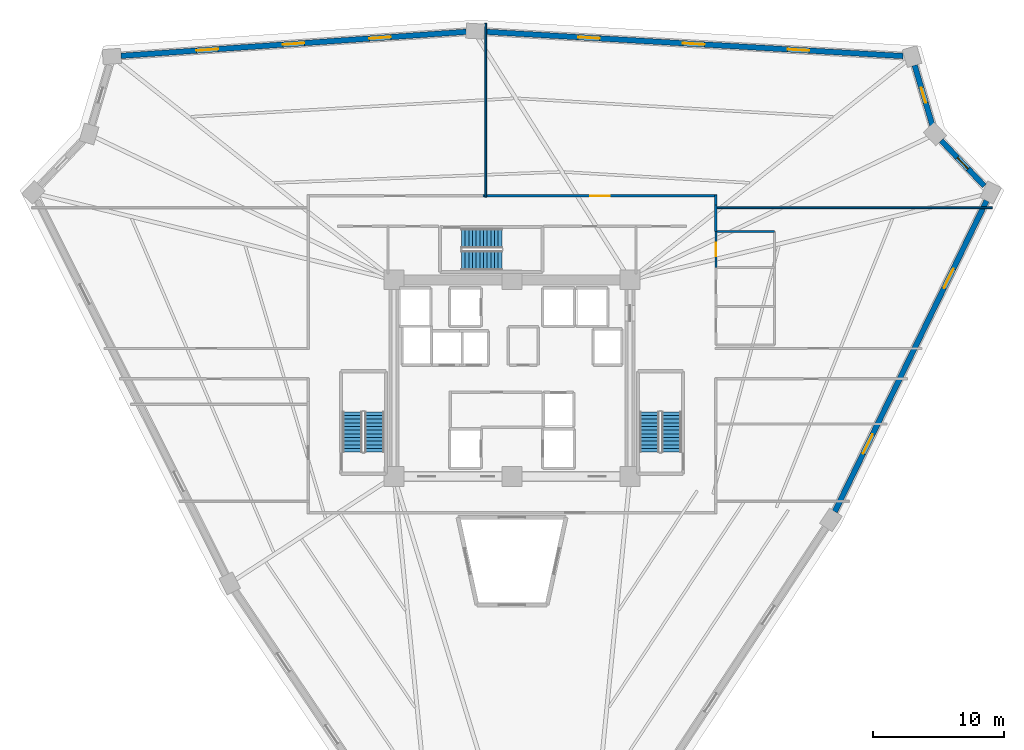
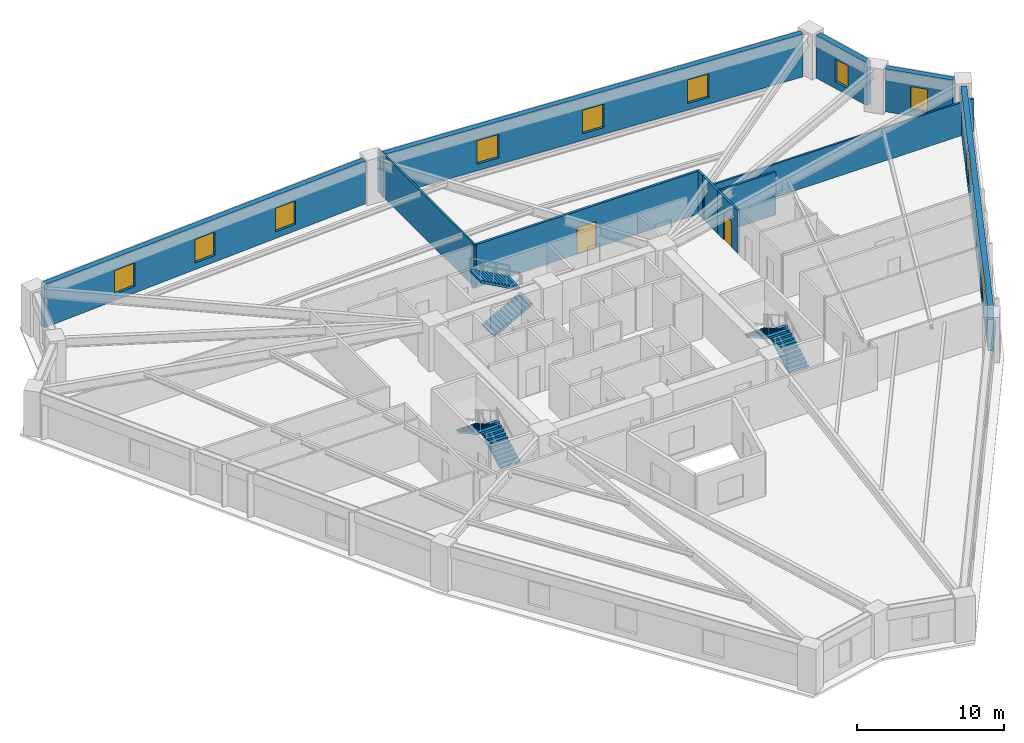
# One storey, part 6 of 7: 12 walls, 10 windows, 6 stair flights, 2 doors, 12 openings, 3 elements without a shape of their own.
"""IFC4 building model written with IfcOpenShell, lengths in metres."""

from ifc_helpers import new_model, si_unit, direction, frame, frame_2d, origin, place, context, subcontext, project, spatial, polyline, rectangle, outline, extrude, source, transform, mapped, material, layer, layer_set, type_object, element, fill, aggregate, save


model = new_model("IFC4")

# Units and contexts
model_context = context("Model", 3, precision=1e-05, world=origin(), true_north=direction((0.0, 1.0)))
body_context = subcontext(model_context, "Body", "Model", "MODEL_VIEW")
ifc_project = project(units=[si_unit("LENGTHUNIT", "METRE"), si_unit("AREAUNIT", "SQUARE_METRE"), si_unit("VOLUMEUNIT", "CUBIC_METRE"), si_unit("PLANEANGLEUNIT", "RADIAN"), si_unit("MASSUNIT", "GRAM", prefix="KILO")], contexts=[model_context])

# Site, building, storey
site_placement = place(None, origin())
site = spatial("IfcSite", under=ifc_project, at=site_placement, CompositionType="ELEMENT")
building_placement = place(site_placement, origin())
building = spatial("IfcBuilding", under=site, at=building_placement, Name="Liaohun Quay Tower", CompositionType="ELEMENT")
storey_placement = place(building_placement, frame((0.0, 0.0, 120.75)))
storey = spatial("IfcBuildingStorey", under=building, at=storey_placement, Name="L31", CompositionType="ELEMENT", Elevation=120.75)

# Wall, openings, windows
ifc_material_1 = material(Name="Precast concrete C50 insulated sandwich", Category="concrete")
ifc_layer_1 = layer(ifc_material_1, 0.419921875, Name="Precast concrete C50 insulated sandwich", Category="concrete")
ifc_layer_set_1 = layer_set([ifc_layer_1], Name="Precast concrete C50 insulated sandwich")
wall_type_1 = type_object("IfcWallType", Name="WAL-EXT-Z12", PredefinedType="SOLIDWALL", material=ifc_layer_set_1)
wall_1_placement = place(storey_placement, frame((84.632080078125, 43.80810546875, 0.0), z_axis=(0.0, 0.0, 1.0), x_axis=(0.43854819507, 0.898707672495, 0.0)))
wall_1 = element("IfcWall", 1, at=wall_1_placement, inside=storey, type_object=wall_type_1, Name="L31 Brutalist Precast Pier Wall 03", PredefinedType="SOLIDWALL", context=body_context, shape_type="SweptSolid", body=[
    extrude(rectangle(XDim=26.412109375, YDim=0.419921875, at=frame_2d((13.2060546875, 0.0))), origin(), (0.0, 0.0, 1.0), 3.570068359375),
])
shared_shape_1 = source(origin(), body_context, "Body", "SweptSolid", [
    extrude(rectangle(XDim=1.64990234375, YDim=1.949951171875, at=frame_2d((0.824951171875, 0.97509765625))), frame((0.0, 0.219970703125, 0.0), z_axis=(0.0, -1.0, 0.0), x_axis=(1.0, 0.0, 0.0)), (0.0, 0.0, 1.0), 0.43994140625),
])
opening_1_placement = place(wall_1_placement, frame((4.927978515625, 0.0, 0.550048828125)))
opening_1 = element("IfcOpeningElement", 2, at=opening_1_placement, cuts=wall_1, Name="Opening W02", PredefinedType="OPENING", context=body_context, shape_type="MappedRepresentation", body=[
    mapped(shared_shape_1, transform((0.0, 0.0, 0.0), x_axis=(1.0, 0.0, 0.0), y_axis=(0.0, 1.0, 0.0), z_axis=(0.0, 0.0, 1.0), scale=1.0)),
])
opening_2_placement = place(wall_1_placement, frame((18.98388671875, 0.0, 0.550048828125)))
opening_2 = element("IfcOpeningElement", 3, at=opening_2_placement, cuts=wall_1, Name="Opening W02", PredefinedType="OPENING", context=body_context, shape_type="MappedRepresentation", body=[
    mapped(shared_shape_1, transform((0.0, 0.0, 0.0), x_axis=(1.0, 0.0, 0.0), y_axis=(0.0, 1.0, 0.0), z_axis=(0.0, 0.0, 1.0), scale=1.0)),
])
ifc_material_2 = material(Name="Triple Low-E argon glazing in thermally broken aluminium", Category="aluminium")
window_type_1 = type_object("IfcWindowType", Name="WIN-PUN-Z2", PartitioningType="DOUBLE_PANEL_VERTICAL", PredefinedType="WINDOW", material=ifc_material_2)
shared_shape_2 = source(origin(), body_context, "Body", "SweptSolid", [
    extrude(rectangle(XDim=1.64990234375, YDim=1.949951171875, at=frame_2d((0.824951171875, 0.97509765625))), frame((0.0, 0.030029296875, 0.0), z_axis=(0.0, -1.0, 0.0), x_axis=(1.0, 0.0, 0.0)), (0.0, 0.0, 1.0), 0.06005859375),
])
window_1_placement = place(opening_1_placement, origin())
window_1 = element("IfcWindow", 4, at=window_1_placement, inside=storey, type_object=window_type_1, Name="L31 Recessed Cold-Climate Punched Window 03-1", OverallHeight=1.949951171875, OverallWidth=1.64990234375, PartitioningType="DOUBLE_PANEL_VERTICAL", PredefinedType="WINDOW", context=body_context, shape_type="MappedRepresentation", body=[
    mapped(shared_shape_2, transform((0.0, 0.0, 0.0), x_axis=(1.0, 0.0, 0.0), y_axis=(0.0, 1.0, 0.0), z_axis=(0.0, 0.0, 1.0), scale=1.0)),
])
fill(opening_1, window_1)
window_2_placement = place(opening_2_placement, origin())
window_2 = element("IfcWindow", 5, at=window_2_placement, inside=storey, type_object=window_type_1, Name="L31 Recessed Cold-Climate Punched Window 03-3", OverallHeight=1.949951171875, OverallWidth=1.64990234375, PartitioningType="DOUBLE_PANEL_VERTICAL", PredefinedType="WINDOW", context=body_context, shape_type="MappedRepresentation", body=[
    mapped(shared_shape_2, transform((0.0, 0.0, 0.0), x_axis=(1.0, 0.0, 0.0), y_axis=(0.0, 1.0, 0.0), z_axis=(0.0, 0.0, 1.0), scale=1.0)),
])
fill(opening_2, window_2)

# Wall, opening, window
wall_2_placement = place(storey_placement, frame((96.0419921875, 68.6650390625, 0.0), z_axis=(0.0, 0.0, 1.0), x_axis=(-0.689201349378, 0.724569872417, 0.0)))
wall_2 = element("IfcWall", 6, at=wall_2_placement, inside=storey, type_object=wall_type_1, Name="L31 Brutalist Precast Pier Wall 04", PredefinedType="SOLIDWALL", context=body_context, shape_type="SweptSolid", body=[
    extrude(rectangle(XDim=4.78369140625, YDim=0.419921875, at=frame_2d((2.391845703125, 0.0))), origin(), (0.0, 0.0, 1.0), 3.570068359375),
])
shared_shape_3 = source(origin(), body_context, "Body", "SweptSolid", [
    extrude(rectangle(XDim=1.199951171875, YDim=1.89990234375, at=frame_2d((0.60009765625, 0.949951171875))), frame((0.0, 0.219970703125, 0.0), z_axis=(0.0, -1.0, 0.0), x_axis=(1.0, 0.0, 0.0)), (0.0, 0.0, 1.0), 0.43994140625),
])
opening_3_placement = place(wall_2_placement, frame((1.7919921875, 0.0, 0.550048828125)))
opening_3 = element("IfcOpeningElement", 7, at=opening_3_placement, cuts=wall_2, Name="Opening W05", PredefinedType="OPENING", context=body_context, shape_type="MappedRepresentation", body=[
    mapped(shared_shape_3, transform((0.0, 0.0, 0.0), x_axis=(1.0, 0.0, 0.0), y_axis=(0.0, 1.0, 0.0), z_axis=(0.0, 0.0, 1.0), scale=1.0)),
])
ifc_material_3 = material(Name="Triple Low-E corner notch glazing", Category="glass")
window_type_2 = type_object("IfcWindowType", Name="WIN-NOTCH", PartitioningType="SINGLE_PANEL", PredefinedType="WINDOW", material=ifc_material_3)
shared_shape_4 = source(origin(), body_context, "Body", "SweptSolid", [
    extrude(rectangle(XDim=1.199951171875, YDim=1.89990234375, at=frame_2d((0.60009765625, 0.949951171875))), frame((0.0, 0.030029296875, 0.0), z_axis=(0.0, -1.0, 0.0), x_axis=(1.0, 0.0, 0.0)), (0.0, 0.0, 1.0), 0.06005859375),
])
window_3_placement = place(opening_3_placement, origin())
window_3 = element("IfcWindow", 8, at=window_3_placement, inside=storey, type_object=window_type_2, Name="L31 Corner Notch Window W05-04", OverallHeight=1.89990234375, OverallWidth=1.199951171875, PartitioningType="SINGLE_PANEL", PredefinedType="WINDOW", context=body_context, shape_type="MappedRepresentation", body=[
    mapped(shared_shape_4, transform((0.0, 0.0, 0.0), x_axis=(1.0, 0.0, 0.0), y_axis=(0.0, 1.0, 0.0), z_axis=(0.0, 0.0, 1.0), scale=1.0)),
])
fill(opening_3, window_3)

wall_3_placement = place(storey_placement, frame((92.073974609375, 73.29296875, 0.0), z_axis=(0.0, 0.0, 1.0), x_axis=(-0.282645095573, 0.959224556581, 0.0)))
wall_3 = element("IfcWall", 9, at=wall_3_placement, inside=storey, type_object=wall_type_1, Name="L31 Brutalist Precast Pier Wall 05", PredefinedType="SOLIDWALL", context=body_context, shape_type="SweptSolid", body=[
    extrude(rectangle(XDim=4.77587890625, YDim=0.419921875, at=frame_2d((2.387939453125, 0.0))), origin(), (0.0, 0.0, 1.0), 3.570068359375),
])
opening_4_placement = place(wall_3_placement, frame((1.7880859375, 0.0, 0.550048828125)))
opening_4 = element("IfcOpeningElement", 10, at=opening_4_placement, cuts=wall_3, Name="Opening W05", PredefinedType="OPENING", context=body_context, shape_type="MappedRepresentation", body=[
    mapped(shared_shape_3, transform((0.0, 0.0, 0.0), x_axis=(1.0, 0.0, 0.0), y_axis=(0.0, 1.0, 0.0), z_axis=(0.0, 0.0, 1.0), scale=1.0)),
])
window_4_placement = place(opening_4_placement, origin())
window_4 = element("IfcWindow", 11, at=window_4_placement, inside=storey, type_object=window_type_2, Name="L31 Corner Notch Window W05-05", OverallHeight=1.89990234375, OverallWidth=1.199951171875, PartitioningType="SINGLE_PANEL", PredefinedType="WINDOW", context=body_context, shape_type="MappedRepresentation", body=[
    mapped(shared_shape_4, transform((0.0, 0.0, 0.0), x_axis=(1.0, 0.0, 0.0), y_axis=(0.0, 1.0, 0.0), z_axis=(0.0, 0.0, 1.0), scale=1.0)),
])
fill(opening_4, window_4)

# Wall, openings, windows
wall_4_placement = place(storey_placement, frame((89.840087890625, 78.575927734375, 0.0), z_axis=(0.0, 0.0, 1.0), x_axis=(-0.99831154776, 0.05808660439, 0.0)))
wall_4 = element("IfcWall", 12, at=wall_4_placement, inside=storey, type_object=wall_type_1, Name="L31 Brutalist Precast Pier Wall 06", PredefinedType="SOLIDWALL", context=body_context, shape_type="SweptSolid", body=[
    extrude(rectangle(XDim=32.006103515625, YDim=0.419921875, at=frame_2d((16.0029296875, 0.0))), origin(), (0.0, 0.0, 1.0), 3.570068359375),
])
opening_5_placement = place(wall_4_placement, frame((7.177001953125, 0.0, 0.550048828125)))
opening_5 = element("IfcOpeningElement", 13, at=opening_5_placement, cuts=wall_4, Name="Opening W02", PredefinedType="OPENING", context=body_context, shape_type="MappedRepresentation", body=[
    mapped(shared_shape_1, transform((0.0, 0.0, 0.0), x_axis=(1.0, 0.0, 0.0), y_axis=(0.0, 1.0, 0.0), z_axis=(0.0, 0.0, 1.0), scale=1.0)),
])
opening_6_placement = place(wall_4_placement, frame((15.177978515625, 0.0, 0.550048828125)))
opening_6 = element("IfcOpeningElement", 14, at=opening_6_placement, cuts=wall_4, Name="Opening W02", PredefinedType="OPENING", context=body_context, shape_type="MappedRepresentation", body=[
    mapped(shared_shape_1, transform((0.0, 0.0, 0.0), x_axis=(1.0, 0.0, 0.0), y_axis=(0.0, 1.0, 0.0), z_axis=(0.0, 0.0, 1.0), scale=1.0)),
])
opening_7_placement = place(wall_4_placement, frame((23.179931640625, 0.0, 0.550048828125)))
opening_7 = element("IfcOpeningElement", 15, at=opening_7_placement, cuts=wall_4, Name="Opening W02", PredefinedType="OPENING", context=body_context, shape_type="MappedRepresentation", body=[
    mapped(shared_shape_1, transform((0.0, 0.0, 0.0), x_axis=(1.0, 0.0, 0.0), y_axis=(0.0, 1.0, 0.0), z_axis=(0.0, 0.0, 1.0), scale=1.0)),
])
window_5_placement = place(opening_5_placement, origin())
window_5 = element("IfcWindow", 16, at=window_5_placement, inside=storey, type_object=window_type_1, Name="L31 Recessed Cold-Climate Punched Window 06-1", OverallHeight=1.949951171875, OverallWidth=1.64990234375, PartitioningType="DOUBLE_PANEL_VERTICAL", PredefinedType="WINDOW", context=body_context, shape_type="MappedRepresentation", body=[
    mapped(shared_shape_2, transform((0.0, 0.0, 0.0), x_axis=(1.0, 0.0, 0.0), y_axis=(0.0, 1.0, 0.0), z_axis=(0.0, 0.0, 1.0), scale=1.0)),
])
fill(opening_5, window_5)
window_6_placement = place(opening_6_placement, origin())
window_6 = element("IfcWindow", 17, at=window_6_placement, inside=storey, type_object=window_type_1, Name="L31 Recessed Cold-Climate Punched Window 06-2", OverallHeight=1.949951171875, OverallWidth=1.64990234375, PartitioningType="DOUBLE_PANEL_VERTICAL", PredefinedType="WINDOW", context=body_context, shape_type="MappedRepresentation", body=[
    mapped(shared_shape_2, transform((0.0, 0.0, 0.0), x_axis=(1.0, 0.0, 0.0), y_axis=(0.0, 1.0, 0.0), z_axis=(0.0, 0.0, 1.0), scale=1.0)),
])
fill(opening_6, window_6)
window_7_placement = place(opening_7_placement, origin())
window_7 = element("IfcWindow", 18, at=window_7_placement, inside=storey, type_object=window_type_1, Name="L31 Recessed Cold-Climate Punched Window 06-3", OverallHeight=1.949951171875, OverallWidth=1.64990234375, PartitioningType="DOUBLE_PANEL_VERTICAL", PredefinedType="WINDOW", context=body_context, shape_type="MappedRepresentation", body=[
    mapped(shared_shape_2, transform((0.0, 0.0, 0.0), x_axis=(1.0, 0.0, 0.0), y_axis=(0.0, 1.0, 0.0), z_axis=(0.0, 0.0, 1.0), scale=1.0)),
])
fill(opening_7, window_7)

wall_5_placement = place(storey_placement, frame((56.510986328125, 80.427001953125, 0.0), z_axis=(0.0, 0.0, 1.0), x_axis=(-0.997581513864, -0.069506281704, 0.0)))
wall_5 = element("IfcWall", 19, at=wall_5_placement, inside=storey, type_object=wall_type_1, Name="L31 Brutalist Precast Pier Wall 07", PredefinedType="SOLIDWALL", context=body_context, shape_type="SweptSolid", body=[
    extrude(rectangle(XDim=26.4140625, YDim=0.419921875, at=frame_2d((13.20703125, 0.0))), origin(), (0.0, 0.0, 1.0), 3.570068359375),
])
opening_8_placement = place(wall_5_placement, frame((5.778076171875, 0.0, 0.550048828125)))
opening_8 = element("IfcOpeningElement", 20, at=opening_8_placement, cuts=wall_5, Name="Opening W02", PredefinedType="OPENING", context=body_context, shape_type="MappedRepresentation", body=[
    mapped(shared_shape_1, transform((0.0, 0.0, 0.0), x_axis=(1.0, 0.0, 0.0), y_axis=(0.0, 1.0, 0.0), z_axis=(0.0, 0.0, 1.0), scale=1.0)),
])
opening_9_placement = place(wall_5_placement, frame((12.382080078125, 0.0, 0.550048828125)))
opening_9 = element("IfcOpeningElement", 21, at=opening_9_placement, cuts=wall_5, Name="Opening W02", PredefinedType="OPENING", context=body_context, shape_type="MappedRepresentation", body=[
    mapped(shared_shape_1, transform((0.0, 0.0, 0.0), x_axis=(1.0, 0.0, 0.0), y_axis=(0.0, 1.0, 0.0), z_axis=(0.0, 0.0, 1.0), scale=1.0)),
])
opening_10_placement = place(wall_5_placement, frame((18.985107421875, 0.0, 0.550048828125)))
opening_10 = element("IfcOpeningElement", 22, at=opening_10_placement, cuts=wall_5, Name="Opening W02", PredefinedType="OPENING", context=body_context, shape_type="MappedRepresentation", body=[
    mapped(shared_shape_1, transform((0.0, 0.0, 0.0), x_axis=(1.0, 0.0, 0.0), y_axis=(0.0, 1.0, 0.0), z_axis=(0.0, 0.0, 1.0), scale=1.0)),
])
window_8_placement = place(opening_8_placement, origin())
window_8 = element("IfcWindow", 23, at=window_8_placement, inside=storey, type_object=window_type_1, Name="L31 Recessed Cold-Climate Punched Window 07-1", OverallHeight=1.949951171875, OverallWidth=1.64990234375, PartitioningType="DOUBLE_PANEL_VERTICAL", PredefinedType="WINDOW", context=body_context, shape_type="MappedRepresentation", body=[
    mapped(shared_shape_2, transform((0.0, 0.0, 0.0), x_axis=(1.0, 0.0, 0.0), y_axis=(0.0, 1.0, 0.0), z_axis=(0.0, 0.0, 1.0), scale=1.0)),
])
fill(opening_8, window_8)
window_9_placement = place(opening_9_placement, origin())
window_9 = element("IfcWindow", 24, at=window_9_placement, inside=storey, type_object=window_type_1, Name="L31 Recessed Cold-Climate Punched Window 07-2", OverallHeight=1.949951171875, OverallWidth=1.64990234375, PartitioningType="DOUBLE_PANEL_VERTICAL", PredefinedType="WINDOW", context=body_context, shape_type="MappedRepresentation", body=[
    mapped(shared_shape_2, transform((0.0, 0.0, 0.0), x_axis=(1.0, 0.0, 0.0), y_axis=(0.0, 1.0, 0.0), z_axis=(0.0, 0.0, 1.0), scale=1.0)),
])
fill(opening_9, window_9)
window_10_placement = place(opening_10_placement, origin())
window_10 = element("IfcWindow", 25, at=window_10_placement, inside=storey, type_object=window_type_1, Name="L31 Recessed Cold-Climate Punched Window 07-3", OverallHeight=1.949951171875, OverallWidth=1.64990234375, PartitioningType="DOUBLE_PANEL_VERTICAL", PredefinedType="WINDOW", context=body_context, shape_type="MappedRepresentation", body=[
    mapped(shared_shape_2, transform((0.0, 0.0, 0.0), x_axis=(1.0, 0.0, 0.0), y_axis=(0.0, 1.0, 0.0), z_axis=(0.0, 0.0, 1.0), scale=1.0)),
])
fill(opening_10, window_10)

# Wall, opening, door
ifc_material_4 = material(Name="Autoclaved aerated concrete blockwork", Category="masonry")
ifc_layer_2 = layer(ifc_material_4, 0.179931640625, Name="Autoclaved aerated concrete blockwork", Category="masonry")
ifc_layer_set_2 = layer_set([ifc_layer_2], Name="Autoclaved aerated concrete blockwork")
wall_type_2 = type_object("IfcWallType", Name="WAL-PRT-COR", PredefinedType="PARTITIONING", material=ifc_layer_set_2)
wall_6_placement = place(storey_placement, frame((57.784912109375, 67.909912109375, 0.0), z_axis=(0.0, 0.0, 1.0), x_axis=(1.0, 0.0, 0.0)))
wall_6 = element("IfcWall", 26, at=wall_6_placement, inside=storey, type_object=wall_type_2, Name="L31 Interior Partition Wall 011", PredefinedType="PARTITIONING", context=body_context, shape_type="SweptSolid", body=[
    extrude(rectangle(XDim=17.844970703125, YDim=0.179931640625, at=frame_2d((8.92236328125, 0.0))), origin(), (0.0, 0.0, 1.0), 3.570068359375),
])
shared_shape_5 = source(origin(), body_context, "Body", "SweptSolid", [
    extrude(rectangle(XDim=1.5, YDim=2.199951171875, at=frame_2d((0.75, 1.10009765625))), frame((0.0, 0.099853515625, 0.0), z_axis=(0.0, -1.0, 0.0), x_axis=(1.0, 0.0, 0.0)), (0.0, 0.0, 1.0), 0.199951171875),
])
opening_11_placement = place(wall_6_placement, frame((8.172119140625, 0.0, 0.0)))
opening_11 = element("IfcOpeningElement", 27, at=opening_11_placement, cuts=wall_6, Name="Opening OD2", PredefinedType="OPENING", context=body_context, shape_type="MappedRepresentation", body=[
    mapped(shared_shape_5, transform((0.0, 0.0, 0.0), x_axis=(1.0, 0.0, 0.0), y_axis=(0.0, 1.0, 0.0), z_axis=(0.0, 0.0, 1.0), scale=1.0)),
])
ifc_material_5 = material(Name="Acoustic oak veneer double door")
door_type_1 = type_object("IfcDoorType", Name="DOR-OFF-1500", OperationType="DOUBLE_DOOR_SINGLE_SWING", PredefinedType="DOOR", material=ifc_material_5)
shared_shape_6 = source(origin(), body_context, "Body", "SweptSolid", [
    extrude(rectangle(XDim=1.5, YDim=2.199951171875, at=frame_2d((0.75, 1.10009765625))), frame((0.0, 0.02490234375, 0.0), z_axis=(0.0, -1.0, 0.0), x_axis=(1.0, 0.0, 0.0)), (0.0, 0.0, 1.0), 0.050048828125),
])
door_1_placement = place(opening_11_placement, origin())
door_1 = element("IfcDoor", 28, at=door_1_placement, inside=storey, type_object=door_type_1, Name="L31 Staff Daycare Nursery 02 Door", OperationType="DOUBLE_DOOR_SINGLE_SWING", OverallHeight=2.199951171875, OverallWidth=1.5, PredefinedType="DOOR", context=body_context, shape_type="MappedRepresentation", body=[
    mapped(shared_shape_6, transform((0.0, 0.0, 0.0), x_axis=(1.0, 0.0, 0.0), y_axis=(0.0, 1.0, 0.0), z_axis=(0.0, 0.0, 1.0), scale=1.0)),
])
fill(opening_11, door_1)

# Walls
wall_7_placement = place(storey_placement, frame((75.56005859375, 67.215087890625, 0.0), z_axis=(0.0, 0.0, 1.0), x_axis=(0.0, -1.0, 0.0)))
element("IfcWall", 29, at=wall_7_placement, inside=storey, type_object=wall_type_2, Name="L31 Interior Partition Wall 029", PredefinedType="PARTITIONING", context=body_context, shape_type="SweptSolid", body=[
    extrude(rectangle(XDim=2.03515625, YDim=0.179931640625, at=frame_2d((1.017578125, 0.0))), origin(), (0.0, 0.0, 1.0), 3.570068359375),
])
wall_8_placement = place(storey_placement, frame((75.56005859375, 67.97998046875, 0.0), z_axis=(0.0, 0.0, 1.0), x_axis=(0.0, -1.0, 0.0)))
element("IfcWall", 30, at=wall_8_placement, inside=storey, type_object=wall_type_2, Name="L31 Interior Partition Wall 030", PredefinedType="PARTITIONING", context=body_context, shape_type="SweptSolid", body=[
    extrude(rectangle(XDim=0.764892578125, YDim=0.179931640625, at=frame_2d((0.38232421875, 0.0))), origin(), (0.0, 0.0, 1.0), 3.570068359375),
])
ifc_material_6 = material(Name="Gypsum board on twin steel studs", Category="steel")
ifc_layer_3 = layer(ifc_material_6, 0.139892578125, Name="Gypsum board on twin steel studs", Category="steel")
ifc_layer_set_3 = layer_set([ifc_layer_3], Name="Gypsum board on twin steel studs")
wall_type_3 = type_object("IfcWallType", Name="WAL-PRT-OFF", PredefinedType="PARTITIONING", material=ifc_layer_set_3)
wall_9_placement = place(storey_placement, frame((75.4599609375, 67.0, 0.0), z_axis=(0.0, 0.0, 1.0), x_axis=(1.0, 0.0, 0.0)))
element("IfcWall", 31, at=wall_9_placement, inside=storey, type_object=wall_type_3, Name="L31 Interior Partition Wall 042", PredefinedType="PARTITIONING", context=body_context, shape_type="SweptSolid", body=[
    extrude(rectangle(XDim=21.19091796875, YDim=0.139892578125, at=frame_2d((10.595458984375, 0.0))), origin(), (0.0, 0.0, 1.0), 2.7548828125),
])
wall_10_placement = place(storey_placement, frame((58.0, 67.81005859375, 0.0), z_axis=(0.0, 0.0, 1.0), x_axis=(0.0, 1.0, 0.0)))
element("IfcWall", 32, at=wall_10_placement, inside=storey, type_object=wall_type_3, Name="L31 Interior Partition Wall 043", PredefinedType="PARTITIONING", context=body_context, shape_type="SweptSolid", body=[
    extrude(rectangle(XDim=13.25, YDim=0.139892578125, at=frame_2d((6.625, 0.0))), origin(), (0.0, 0.0, 1.0), 3.570068359375),
])

# Wall, opening, door
ifc_material_7 = material(Name="Moisture-resistant masonry blockwork", Category="masonry")
ifc_layer_4 = layer(ifc_material_7, 0.159912109375, Name="Moisture-resistant masonry blockwork", Category="masonry")
ifc_layer_set_4 = layer_set([ifc_layer_4], Name="Moisture-resistant masonry blockwork")
wall_type_4 = type_object("IfcWallType", Name="WAL-PRT-WET", PredefinedType="PARTITIONING", material=ifc_layer_set_4)
wall_11_placement = place(storey_placement, frame((75.56005859375, 62.43994140625, 0.0), z_axis=(0.0, 0.0, 1.0), x_axis=(0.0, 1.0, 0.0)))
wall_11 = element("IfcWall", 33, at=wall_11_placement, inside=storey, type_object=wall_type_4, Name="L31 Interior Partition Wall 005", PredefinedType="PARTITIONING", context=body_context, shape_type="SweptSolid", body=[
    extrude(rectangle(XDim=2.739990234375, YDim=0.159912109375, at=frame_2d((1.3701171875, 0.0))), origin(), (0.0, 0.0, 1.0), 3.570068359375),
])
shared_shape_7 = source(origin(), body_context, "Body", "SweptSolid", [
    extrude(rectangle(XDim=1.050048828125, YDim=2.14990234375, at=frame_2d((0.52490234375, 1.074951171875))), frame((0.0, 0.08984375, 0.0), z_axis=(0.0, -1.0, 0.0), x_axis=(1.0, 0.0, 0.0)), (0.0, 0.0, 1.0), 0.179931640625),
])
opening_12_placement = place(wall_11_placement, frame((0.844970703125, 0.0, 0.0)))
opening_12 = element("IfcOpeningElement", 34, at=opening_12_placement, cuts=wall_11, Name="Opening WD2", PredefinedType="OPENING", context=body_context, shape_type="MappedRepresentation", body=[
    mapped(shared_shape_7, transform((0.0, 0.0, 0.0), x_axis=(1.0, 0.0, 0.0), y_axis=(0.0, 1.0, 0.0), z_axis=(0.0, 0.0, 1.0), scale=1.0)),
])
ifc_material_8 = material(Name="Accessible outward-swinging laminate door")
door_type_2 = type_object("IfcDoorType", Name="DOR-AWC-1050", OperationType="NOTDEFINED", PredefinedType="DOOR", material=ifc_material_8)
shared_shape_8 = source(origin(), body_context, "Body", "SweptSolid", [
    extrude(rectangle(XDim=1.050048828125, YDim=2.14990234375, at=frame_2d((0.52490234375, 1.074951171875))), frame((0.0, 0.02490234375, 0.0), z_axis=(0.0, -1.0, 0.0), x_axis=(1.0, 0.0, 0.0)), (0.0, 0.0, 1.0), 0.050048828125),
])
door_2_placement = place(opening_12_placement, origin())
door_2 = element("IfcDoor", 35, at=door_2_placement, inside=storey, type_object=door_type_2, Name="L31 Accessible WC Door", OperationType="SINGLE_SWING_RIGHT", OverallHeight=2.14990234375, OverallWidth=1.050048828125, PredefinedType="DOOR", context=body_context, shape_type="MappedRepresentation", body=[
    mapped(shared_shape_8, transform((0.0, 0.0, 0.0), x_axis=(1.0, 0.0, 0.0), y_axis=(0.0, 1.0, 0.0), z_axis=(0.0, 0.0, 1.0), scale=1.0)),
])
fill(opening_12, door_2)

# Wall
wall_12_placement = place(storey_placement, frame((75.56005859375, 65.179931640625, 0.0), z_axis=(0.0, 0.0, 1.0), x_axis=(1.0, 0.0, 0.0)))
element("IfcWall", 36, at=wall_12_placement, inside=storey, type_object=wall_type_4, Name="L31 Interior Partition Wall 026", PredefinedType="PARTITIONING", context=body_context, shape_type="SweptSolid", body=[
    extrude(rectangle(XDim=4.4599609375, YDim=0.159912109375, at=frame_2d((2.22998046875, 0.0))), origin(), (0.0, 0.0, 1.0), 3.570068359375),
])

# Stair, stair flights
ifc_material_9 = material(Name="Concrete C45", Category="concrete")
stair_type = type_object("IfcStairType", Name="STR-CORE-OFF", PredefinedType="HALF_TURN_STAIR", material=ifc_material_9)
stair_1_placement = place(storey_placement, origin())
stair_1 = element("IfcStair", 37, at=stair_1_placement, inside=storey, type_object=stair_type, Name="L31 Smokeproof Core Exit Stair ST-1", PredefinedType="HALF_TURN_STAIR")
stair_flight_type = type_object("IfcStairFlightType", Name="FLT-CORE-155", PredefinedType="STRAIGHT", material=ifc_material_9)
stair_flight_1_placement = place(storey_placement, frame((49.5048828125, 48.35009765625, 0.0), z_axis=(0.0, 0.0, 1.0), x_axis=(0.0, 1.0, 0.0)))
stair_flight_1 = element("IfcStairFlight", 38, at=stair_flight_1_placement, type_object=stair_flight_type, Name="ST-1 flight 1", NumberOfRisers=12, NumberOfTreads=11, PredefinedType="STRAIGHT", RiserHeight=0.15625, TreadLength=0.28, context=body_context, shape_type="SweptSolid", body=[
    extrude(outline(polyline([(0.0, 0.0), (0.0, 0.15625), (0.280029296875, 0.15625), (0.280029296875, 0.3125), (0.56005859375, 0.3125), (0.56005859375, 0.46875), (0.840087890625, 0.46875), (0.840087890625, 0.625), (1.1201171875, 0.625), (1.1201171875, 0.78125), (1.39990234375, 0.78125), (1.39990234375, 0.9375), (1.679931640625, 0.9375), (1.679931640625, 1.09375), (1.9599609375, 1.09375), (1.9599609375, 1.25), (2.239990234375, 1.25), (2.239990234375, 1.40625), (2.52001953125, 1.40625), (2.52001953125, 1.5625), (2.800048828125, 1.5625), (2.800048828125, 1.71875), (3.080078125, 1.71875), (3.080078125, 1.875), (3.080078125, 1.547119140625), (0.3076171875, 0.0), (0.0, 0.0)])), frame((0.0, 0.77490234375, 0.0), z_axis=(0.0, -1.0, 0.0), x_axis=(1.0, 0.0, 0.0)), (0.0, 0.0, 1.0), 1.550048828125),
])
stair_flight_2_placement = place(storey_placement, frame((47.81494140625, 51.429931640625, 1.875), z_axis=(0.0, 0.0, 1.0), x_axis=(0.0, -1.0, 0.0)))
stair_flight_2 = element("IfcStairFlight", 39, at=stair_flight_2_placement, type_object=stair_flight_type, Name="ST-1 flight 2", NumberOfRisers=12, NumberOfTreads=11, PredefinedType="STRAIGHT", RiserHeight=0.15625, TreadLength=0.28, context=body_context, shape_type="SweptSolid", body=[
    extrude(outline(polyline([(0.0, 0.0), (0.0, 0.15625), (0.280029296875, 0.15625), (0.280029296875, 0.3125), (0.56005859375, 0.3125), (0.56005859375, 0.46875), (0.840087890625, 0.46875), (0.840087890625, 0.625), (1.1201171875, 0.625), (1.1201171875, 0.78125), (1.39990234375, 0.78125), (1.39990234375, 0.9375), (1.679931640625, 0.9375), (1.679931640625, 1.09375), (1.9599609375, 1.09375), (1.9599609375, 1.25), (2.239990234375, 1.25), (2.239990234375, 1.40625), (2.52001953125, 1.40625), (2.52001953125, 1.5625), (2.800048828125, 1.5625), (2.800048828125, 1.71875), (3.080078125, 1.71875), (3.080078125, 1.875), (3.080078125, 1.547119140625), (0.3076171875, 0.0), (0.0, 0.0)])), frame((0.0, 0.77490234375, 0.0), z_axis=(0.0, -1.0, 0.0), x_axis=(1.0, 0.0, 0.0)), (0.0, 0.0, 1.0), 1.550048828125),
])
aggregate(stair_1, [stair_flight_1, stair_flight_2])

stair_2_placement = place(storey_placement, origin())
stair_2 = element("IfcStair", 40, at=stair_2_placement, inside=storey, type_object=stair_type, Name="L31 Smokeproof Core Exit Stair ST-2", PredefinedType="HALF_TURN_STAIR")
stair_flight_3_placement = place(storey_placement, frame((72.18505859375, 48.35009765625, 0.0), z_axis=(0.0, 0.0, 1.0), x_axis=(0.0, 1.0, 0.0)))
stair_flight_3 = element("IfcStairFlight", 41, at=stair_flight_3_placement, type_object=stair_flight_type, Name="ST-2 flight 1", NumberOfRisers=12, NumberOfTreads=11, PredefinedType="STRAIGHT", RiserHeight=0.15625, TreadLength=0.28, context=body_context, shape_type="SweptSolid", body=[
    extrude(outline(polyline([(0.0, 0.0), (0.0, 0.15625), (0.280029296875, 0.15625), (0.280029296875, 0.3125), (0.56005859375, 0.3125), (0.56005859375, 0.46875), (0.840087890625, 0.46875), (0.840087890625, 0.625), (1.1201171875, 0.625), (1.1201171875, 0.78125), (1.39990234375, 0.78125), (1.39990234375, 0.9375), (1.679931640625, 0.9375), (1.679931640625, 1.09375), (1.9599609375, 1.09375), (1.9599609375, 1.25), (2.239990234375, 1.25), (2.239990234375, 1.40625), (2.52001953125, 1.40625), (2.52001953125, 1.5625), (2.800048828125, 1.5625), (2.800048828125, 1.71875), (3.080078125, 1.71875), (3.080078125, 1.875), (3.080078125, 1.547119140625), (0.3076171875, 0.0), (0.0, 0.0)])), frame((0.0, 0.77490234375, 0.0), z_axis=(0.0, -1.0, 0.0), x_axis=(1.0, 0.0, 0.0)), (0.0, 0.0, 1.0), 1.550048828125),
])
stair_flight_4_placement = place(storey_placement, frame((70.4951171875, 51.429931640625, 1.875), z_axis=(0.0, 0.0, 1.0), x_axis=(0.0, -1.0, 0.0)))
stair_flight_4 = element("IfcStairFlight", 42, at=stair_flight_4_placement, type_object=stair_flight_type, Name="ST-2 flight 2", NumberOfRisers=12, NumberOfTreads=11, PredefinedType="STRAIGHT", RiserHeight=0.15625, TreadLength=0.28, context=body_context, shape_type="SweptSolid", body=[
    extrude(outline(polyline([(0.0, 0.0), (0.0, 0.15625), (0.280029296875, 0.15625), (0.280029296875, 0.3125), (0.56005859375, 0.3125), (0.56005859375, 0.46875), (0.840087890625, 0.46875), (0.840087890625, 0.625), (1.1201171875, 0.625), (1.1201171875, 0.78125), (1.39990234375, 0.78125), (1.39990234375, 0.9375), (1.679931640625, 0.9375), (1.679931640625, 1.09375), (1.9599609375, 1.09375), (1.9599609375, 1.25), (2.239990234375, 1.25), (2.239990234375, 1.40625), (2.52001953125, 1.40625), (2.52001953125, 1.5625), (2.800048828125, 1.5625), (2.800048828125, 1.71875), (3.080078125, 1.71875), (3.080078125, 1.875), (3.080078125, 1.547119140625), (0.3076171875, 0.0), (0.0, 0.0)])), frame((0.0, 0.77490234375, 0.0), z_axis=(0.0, -1.0, 0.0), x_axis=(1.0, 0.0, 0.0)), (0.0, 0.0, 1.0), 1.550048828125),
])
aggregate(stair_2, [stair_flight_3, stair_flight_4])

stair_3_placement = place(storey_placement, origin())
stair_3 = element("IfcStair", 43, at=stair_3_placement, inside=storey, type_object=stair_type, Name="L31 Smokeproof Core Exit Stair ST-3", PredefinedType="HALF_TURN_STAIR")
stair_flight_5_placement = place(storey_placement, frame((56.14990234375, 62.97509765625, 0.0), z_axis=(0.0, 0.0, 1.0), x_axis=(1.0, 0.0, 0.0)))
stair_flight_5 = element("IfcStairFlight", 44, at=stair_flight_5_placement, type_object=stair_flight_type, Name="ST-3 flight 1", NumberOfRisers=12, NumberOfTreads=11, PredefinedType="STRAIGHT", RiserHeight=0.15625, TreadLength=0.28, context=body_context, shape_type="SweptSolid", body=[
    extrude(outline(polyline([(0.0, 0.0), (0.0, 0.15625), (0.280029296875, 0.15625), (0.280029296875, 0.3125), (0.56005859375, 0.3125), (0.56005859375, 0.46875), (0.840087890625, 0.46875), (0.840087890625, 0.625), (1.1201171875, 0.625), (1.1201171875, 0.78125), (1.39990234375, 0.78125), (1.39990234375, 0.9375), (1.679931640625, 0.9375), (1.679931640625, 1.09375), (1.9599609375, 1.09375), (1.9599609375, 1.25), (2.239990234375, 1.25), (2.239990234375, 1.40625), (2.52001953125, 1.40625), (2.52001953125, 1.5625), (2.800048828125, 1.5625), (2.800048828125, 1.71875), (3.080078125, 1.71875), (3.080078125, 1.875), (3.080078125, 1.547119140625), (0.3076171875, 0.0), (0.0, 0.0)])), frame((0.0, 0.77490234375, 0.0), z_axis=(0.0, -1.0, 0.0), x_axis=(1.0, 0.0, 0.0)), (0.0, 0.0, 1.0), 1.550048828125),
])
stair_flight_6_placement = place(storey_placement, frame((59.22998046875, 64.6650390625, 1.875), z_axis=(0.0, 0.0, 1.0), x_axis=(-1.0, 0.0, 0.0)))
stair_flight_6 = element("IfcStairFlight", 45, at=stair_flight_6_placement, type_object=stair_flight_type, Name="ST-3 flight 2", NumberOfRisers=12, NumberOfTreads=11, PredefinedType="STRAIGHT", RiserHeight=0.15625, TreadLength=0.28, context=body_context, shape_type="SweptSolid", body=[
    extrude(outline(polyline([(0.0, 0.0), (0.0, 0.15625), (0.280029296875, 0.15625), (0.280029296875, 0.3125), (0.56005859375, 0.3125), (0.56005859375, 0.46875), (0.840087890625, 0.46875), (0.840087890625, 0.625), (1.1201171875, 0.625), (1.1201171875, 0.78125), (1.39990234375, 0.78125), (1.39990234375, 0.9375), (1.679931640625, 0.9375), (1.679931640625, 1.09375), (1.9599609375, 1.09375), (1.9599609375, 1.25), (2.239990234375, 1.25), (2.239990234375, 1.40625), (2.52001953125, 1.40625), (2.52001953125, 1.5625), (2.800048828125, 1.5625), (2.800048828125, 1.71875), (3.080078125, 1.71875), (3.080078125, 1.875), (3.080078125, 1.547119140625), (0.3076171875, 0.0), (0.0, 0.0)])), frame((0.0, 0.77490234375, 0.0), z_axis=(0.0, -1.0, 0.0), x_axis=(1.0, 0.0, 0.0)), (0.0, 0.0, 1.0), 1.550048828125),
])
aggregate(stair_3, [stair_flight_5, stair_flight_6])

save(model, "model.ifc")
